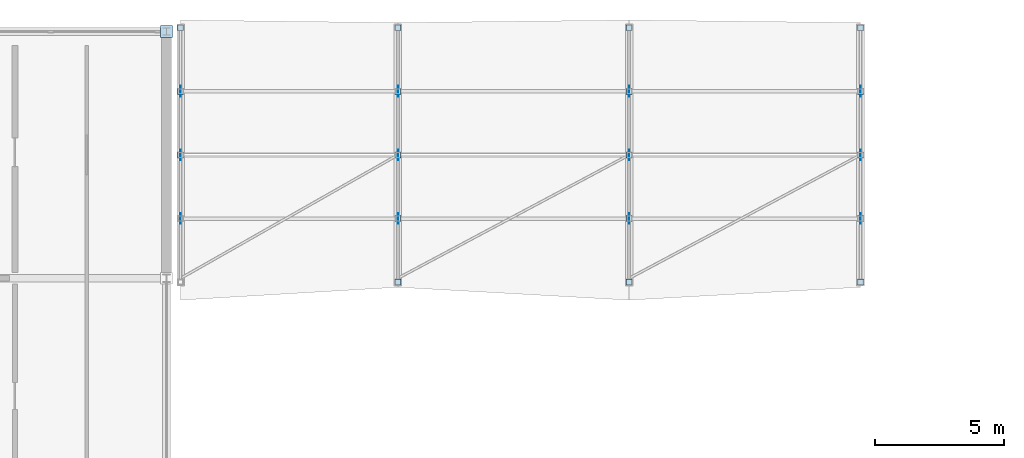
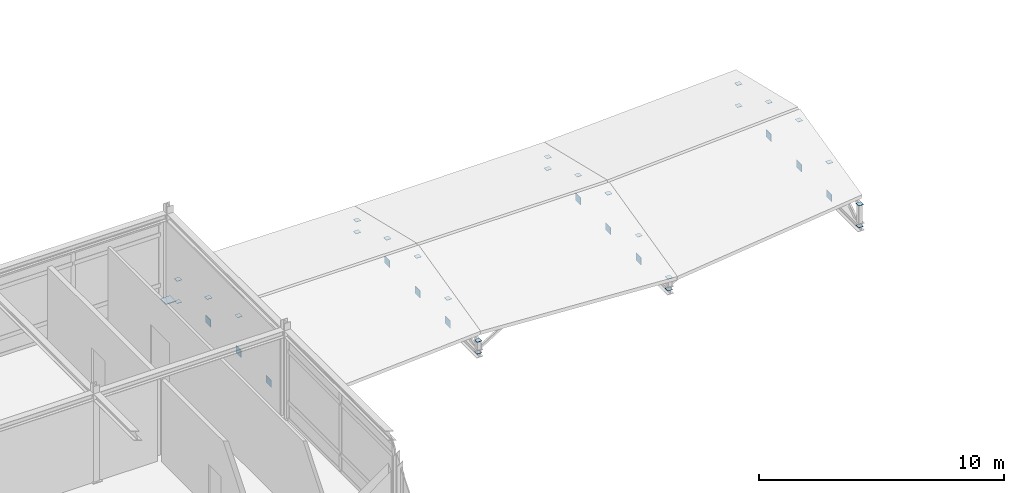
# One storey, part 65 of 90: 38 plates.
"""IFC4 building model written with IfcOpenShell, lengths in metres."""

import ifcopenshell
import ifcopenshell.guid

model = None  # the IFC model being written
_history = None  # IfcOwnerHistory: only IFC2X3 demands one
_inside = {}  # id of a spatial element -> (the spatial element, [elements in it])
_under = {}  # id of a project, library or spatial element -> (it, [spatial elements below it])
_declared = {}  # id of a project -> (the project, [libraries it declares])
_typed = {}  # id of a type object -> (the type object, [elements of that type])
_made_of = {}  # id of a material, layer set ... -> (it, [elements and type objects made of it])


def new_model(schema):
    """Start an empty IFC model of exactly this schema.

    Asked for "IFC4X3", IfcOpenShell would pick the latest addendum, in which some entities
    have other attributes; the version numbers below select the first issue.
    IFC2X3 requires an IfcOwnerHistory on every rooted entity: one is made here for all.
    """
    global model, _history
    if schema == "IFC4X3":
        model = ifcopenshell.file(schema_version=(4, 3, 0, 0))
    else:
        model = ifcopenshell.file(schema=schema)
    _inside.clear()
    _under.clear()
    _declared.clear()
    _typed.clear()
    _made_of.clear()
    _history = None
    if model.schema == "IFC2X3":
        org = make("IfcOrganization", Name="unknown")
        user = make(
            "IfcPersonAndOrganization",
            ThePerson=make("IfcPerson", FamilyName="unknown"),
            TheOrganization=org,
        )
        app = make(
            "IfcApplication",
            ApplicationDeveloper=org,
            Version="unknown",
            ApplicationFullName="unknown",
            ApplicationIdentifier="unknown",
        )
        _history = make(
            "IfcOwnerHistory",
            OwningUser=user,
            OwningApplication=app,
            ChangeAction="ADDED",
            CreationDate=0,
        )
    return model


def make(cls, **values):
    """One entity of the class cls with the attributes given. An attribute that is None is left unset."""
    return model.create_entity(
        cls, **{name: value for name, value in values.items() if value is not None}
    )


def rooted(cls, **values):
    """An entity with a GlobalId (a new one), such as an element, a storey or a relation."""
    return make(cls, GlobalId=ifcopenshell.guid.new(), OwnerHistory=_history, **values)


def si_unit(unit_type, name, prefix=None):
    """IfcSIUnit, for example si_unit("LENGTHUNIT", "METRE", prefix="MILLI")."""
    return make("IfcSIUnit", UnitType=unit_type, Prefix=prefix, Name=name)


def assignment(units):
    """IfcUnitAssignment: the units of a project."""
    return None if units is None else make("IfcUnitAssignment", Units=units)


def point(xyz):
    """IfcCartesianPoint."""
    return None if xyz is None else make("IfcCartesianPoint", Coordinates=xyz)


def direction(xyz):
    """IfcDirection."""
    return None if xyz is None else make("IfcDirection", DirectionRatios=xyz)


def frame(location, z_axis=None, x_axis=None):
    """IfcAxis2Placement3D, a coordinate frame: its origin and axes. An axis left out is left unset."""
    return make(
        "IfcAxis2Placement3D",
        Location=point(location),
        Axis=direction(z_axis),
        RefDirection=direction(x_axis),
    )


def frame_2d(location, x_axis=None):
    """IfcAxis2Placement2D, a coordinate frame in the plane: its origin and x axis."""
    return make(
        "IfcAxis2Placement2D", Location=point(location), RefDirection=direction(x_axis)
    )


def origin():
    """The frame at (0, 0, 0) with its axes left unset."""
    return frame((0.0, 0.0, 0.0))


def origin_2d():
    """The frame at (0, 0) in the plane with its x axis left unset."""
    return frame_2d((0.0, 0.0))


def place(relative_to, where):
    """IfcLocalPlacement: puts the frame where relative to a parent placement (None: the world)."""
    return make(
        "IfcLocalPlacement", PlacementRelTo=relative_to, RelativePlacement=where
    )


def context(
    kind, dimensions, precision=None, world=None, true_north=None, identifier=None
):
    """IfcGeometricRepresentationContext, for example the 3D "Model" context."""
    return make(
        "IfcGeometricRepresentationContext",
        ContextIdentifier=identifier,
        ContextType=kind,
        CoordinateSpaceDimension=dimensions,
        Precision=precision,
        WorldCoordinateSystem=world,
        TrueNorth=true_north,
    )


def subcontext(parent, identifier, kind, view, scale=None):
    """IfcGeometricRepresentationSubContext, for example "Body" below "Model"."""
    return make(
        "IfcGeometricRepresentationSubContext",
        ContextIdentifier=identifier,
        ContextType=kind,
        ParentContext=parent,
        TargetScale=scale,
        TargetView=view,
    )


def project(units=None, contexts=None):
    """IfcProject with its units and contexts."""
    return rooted(
        "IfcProject",
        Name="project",
        RepresentationContexts=contexts,
        UnitsInContext=assignment(units),
    )


def spatial(cls, under=None, at=None, **own):
    """A site, building, storey or space (cls), placed at a placement, below another one or the project."""
    s = rooted(cls, ObjectPlacement=at, **own)
    if under is not None:
        _under.setdefault(under.id(), (under, []))[1].append(s)
    return s


def profile(cls, at=None, kind="AREA", **sizes):
    """A parametric profile (cls). Its sizes go by their IFC names, for example OverallWidth=200.0."""
    return make(cls, ProfileType=kind, Position=at, **sizes)


def rectangle(**sizes):
    """IfcRectangleProfileDef."""
    return profile("IfcRectangleProfileDef", **sizes)


def extrude(swept, where, along, depth):
    """IfcExtrudedAreaSolid: the profile swept, set in the frame where, extruded along a direction by depth."""
    return make(
        "IfcExtrudedAreaSolid",
        SweptArea=swept,
        Position=where,
        ExtrudedDirection=direction(along),
        Depth=depth,
    )


def shape(context_of_items, identifier, shape_type, items):
    """IfcShapeRepresentation: the items that make up one representation, for example the "Body"."""
    return make(
        "IfcShapeRepresentation",
        ContextOfItems=context_of_items,
        RepresentationIdentifier=identifier,
        RepresentationType=shape_type,
        Items=items,
    )


def material(Name=None, Category=None):
    """IfcMaterial."""
    return make("IfcMaterial", Name=Name, Category=Category)


def layer(
    of_material, thickness, ventilated=None, Name=None, Category=None, Priority=None
):
    """IfcMaterialLayer: one layer of a wall or slab, of a material (None: an air gap)."""
    return make(
        "IfcMaterialLayer",
        Material=of_material,
        LayerThickness=thickness,
        IsVentilated=ventilated,
        Name=Name,
        Category=Category,
        Priority=Priority,
    )


def layer_set(layers, Name=None):
    """IfcMaterialLayerSet."""
    return make("IfcMaterialLayerSet", MaterialLayers=layers, LayerSetName=Name)


def made_of(thing, what):
    """Note that an element or type object is made of a material, layer set ...; save() writes the relation."""
    if what is not None:
        _made_of.setdefault(what.id(), (what, []))[1].append(thing)
    return thing


def type_object(cls, material=None, **own):
    """A type object (cls), such as IfcWallType, which elements share."""
    return made_of(rooted(cls, **own), material)


def element(
    cls,
    number,
    at=None,
    inside=None,
    cuts=None,
    type_object=None,
    material=None,
    context=None,
    identifier="Body",
    shape_type=None,
    held_by="IfcProductDefinitionShape",
    body=None,
    shapes=None,
    **own,
):
    """One element of the class cls, such as IfcWall. Its Tag is "e" and its number.

    at: its placement. inside: the storey or other place that contains it. cuts: it is an
    opening in that element (IfcRelVoidsElement). A single representation is given by context,
    identifier, shape_type and body (its items); several are given by shapes. held_by: the class
    of the entity that holds the representations. save() writes the other relations.
    """
    e = rooted(cls, Tag="e%d" % number, ObjectPlacement=at, **own)
    if body is not None:
        shapes = [shape(context, identifier, shape_type, body)]
    if shapes is not None:
        e.Representation = make(held_by, Representations=shapes)
    if inside is not None:
        _inside.setdefault(inside.id(), (inside, []))[1].append(e)
    if cuts is not None:
        rooted(
            "IfcRelVoidsElement", RelatingBuildingElement=cuts, RelatedOpeningElement=e
        )
    if type_object is not None:
        _typed.setdefault(type_object.id(), (type_object, []))[1].append(e)
    return made_of(e, material)


def aggregate(whole, parts):
    """IfcRelAggregates: a whole, such as a stair, and the parts it consists of."""
    return rooted("IfcRelAggregates", RelatingObject=whole, RelatedObjects=parts)


def save(model, path):
    """Write the relations noted so far, then the file.

    IfcRelAggregates (storeys below a building ...), IfcRelContainedInSpatialStructure (elements
    in a storey), IfcRelDefinesByType, IfcRelAssociatesMaterial and IfcRelDeclares: one each for
    every whole, place, type object, material and project.
    """
    for whole, parts in _under.values():
        aggregate(whole, parts)
    for where, things in _inside.values():
        rooted(
            "IfcRelContainedInSpatialStructure",
            RelatedElements=things,
            RelatingStructure=where,
        )
    for kind, things in _typed.values():
        rooted("IfcRelDefinesByType", RelatedObjects=things, RelatingType=kind)
    for what, things in _made_of.values():
        rooted("IfcRelAssociatesMaterial", RelatedObjects=things, RelatingMaterial=what)
    for by, libraries in _declared.values():
        rooted("IfcRelDeclares", RelatingContext=by, RelatedDefinitions=libraries)
    model.write(path)


model = new_model("IFC4")

# Units and contexts
model_context = context("Model", 3, precision=1e-05, world=origin(), true_north=direction((0.0, 1.0)))
body_context = subcontext(model_context, "Body", "Model", "MODEL_VIEW")
ifc_project = project(units=[si_unit("LENGTHUNIT", "METRE"), si_unit("AREAUNIT", "SQUARE_METRE"), si_unit("VOLUMEUNIT", "CUBIC_METRE"), si_unit("PLANEANGLEUNIT", "RADIAN"), si_unit("MASSUNIT", "GRAM", prefix="KILO")], contexts=[model_context])

# Site, building, storey
site_placement = place(None, origin())
site = spatial("IfcSite", under=ifc_project, at=site_placement, CompositionType="ELEMENT")
building_placement = place(site_placement, origin())
building = spatial("IfcBuilding", under=site, at=building_placement, Name="Bozkorgan Art Gallery", CompositionType="ELEMENT")
storey_placement = place(building_placement, frame((0.0, 0.0, 5.39990234375)))
storey = spatial("IfcBuildingStorey", under=building, at=storey_placement, Name="L01", CompositionType="ELEMENT", Elevation=5.39990234375)

# Plates
ifc_material = material(Name="Steel S355J2", Category="steel")
ifc_layer_1 = layer(ifc_material, 0.031982421875, Name="Steel S355J2")
ifc_layer_set_1 = layer_set([ifc_layer_1], Name="Steel S355J2")
plate_type_1 = type_object("IfcPlateType", Name="PLATE-BP-37", PredefinedType="USERDEFINED", material=ifc_layer_set_1)
plate_placement = place(storey_placement, frame((20.0, 112.39990234375, 0.0), z_axis=(0.0, 0.0, 1.0), x_axis=(1.0, 0.0, 0.0)))
element("IfcPlate", 1, at=plate_placement, inside=storey, type_object=plate_type_1, Name="COL-V2-L01-20-112 base plate", ObjectType="END CAP PLATE", PredefinedType="USERDEFINED", context=body_context, shape_type="SweptSolid", body=[
    extrude(rectangle(XDim=0.4599609375, YDim=0.4599609375, at=origin_2d()), origin(), (0.0, 0.0, 1.0), 0.031982421875),
])
ifc_layer_2 = layer(ifc_material, 0.01611328125, Name="Steel S355J2")
ifc_layer_set_2 = layer_set([ifc_layer_2], Name="Steel S355J2")
plate_type_2 = type_object("IfcPlateType", Name="PLATE-EC-05", PredefinedType="USERDEFINED", material=ifc_layer_set_2)
for number, where, z_axis, x_axis, name in (
    (2, (20.550048828125, 107.60009765625, 1.9501953125), (0.0, 0.0, 1.0), (1.0, 0.0, 0.0), "Truss V2 post cap 1.2"),
    (3, (20.550048828125, 110.074951171875, 1.35595703125), (0.0, 0.0, 1.0), (1.0, 0.0, 0.0), "Truss V2 post cap 1.3"),
    (4, (20.550048828125, 112.550048828125, 0.76171875), (0.0, 0.0, 1.0), (1.0, 0.0, 0.0), "Truss V2 post cap 1.4"),
    (5, (20.550048828125, 112.550048828125, -0.347900390625), (0.0, 0.0, 1.0), (1.0, 0.0, 0.0), "Truss V2 post base cap 1.4"),
    (6, (29.0, 102.64990234375, 0.76171875), (0.0, 0.0, 1.0), (1.0, 0.0, 0.0), "Truss V2 post cap 2.0"),
    (7, (29.0, 102.64990234375, 0.172119140625), (0.0, 0.0, 1.0), (1.0, 0.0, 0.0), "Truss V2 post base cap 2.0"),
    (8, (29.0, 105.125, 1.35595703125), (0.0, 0.0, 1.0), (1.0, 0.0, 0.0), "Truss V2 post cap 2.1"),
    (9, (29.0, 107.60009765625, 1.9501953125), (0.0, 0.0, 1.0), (1.0, 0.0, 0.0), "Truss V2 post cap 2.2"),
    (10, (29.0, 110.074951171875, 1.35595703125), (0.0, 0.0, 1.0), (1.0, 0.0, 0.0), "Truss V2 post cap 2.3"),
    (11, (29.0, 112.550048828125, 0.76171875), (0.0, 0.0, 1.0), (1.0, 0.0, 0.0), "Truss V2 post cap 2.4"),
    (12, (29.0, 112.550048828125, 0.172119140625), (0.0, 0.0, 1.0), (1.0, 0.0, 0.0), "Truss V2 post base cap 2.4"),
    (13, (38.0, 102.64990234375, 0.76171875), (0.0, 0.0, 1.0), (1.0, 0.0, 0.0), "Truss V2 post cap 3.0"),
    (14, (38.0, 102.64990234375, 0.172119140625), (0.0, 0.0, 1.0), (1.0, 0.0, 0.0), "Truss V2 post base cap 3.0"),
    (15, (38.0, 105.125, 1.35595703125), (0.0, 0.0, 1.0), (1.0, 0.0, 0.0), "Truss V2 post cap 3.1"),
    (16, (38.0, 107.60009765625, 1.9501953125), (0.0, 0.0, 1.0), (1.0, 0.0, 0.0), "Truss V2 post cap 3.2"),
    (17, (38.0, 110.074951171875, 1.35595703125), (0.0, 0.0, 1.0), (1.0, 0.0, 0.0), "Truss V2 post cap 3.3"),
    (18, (38.0, 112.550048828125, 0.76171875), (0.0, 0.0, 1.0), (1.0, 0.0, 0.0), "Truss V2 post cap 3.4"),
    (19, (38.0, 112.550048828125, 0.172119140625), (0.0, 0.0, 1.0), (1.0, 0.0, 0.0), "Truss V2 post base cap 3.4"),
    (20, (47.0, 102.64990234375, 1.265380859375), (0.0, 0.0, 1.0), (1.0, 0.0, 0.0), "Truss V2 post cap 4.0"),
    (21, (47.0, 102.64990234375, 0.172119140625), (0.0, 0.0, 1.0), (1.0, 0.0, 0.0), "Truss V2 post base cap 4.0"),
    (22, (47.0, 105.125, 1.859619140625), (0.0, 0.0, 1.0), (1.0, 0.0, 0.0), "Truss V2 post cap 4.1"),
    (23, (47.0, 107.60009765625, 2.453857421875), (0.0, 0.0, 1.0), (1.0, 0.0, 0.0), "Truss V2 post cap 4.2"),
    (24, (47.0, 110.074951171875, 1.859619140625), (0.0, 0.0, 1.0), (1.0, 0.0, 0.0), "Truss V2 post cap 4.3"),
    (25, (47.0, 112.550048828125, 1.265380859375), (0.0, 0.0, 1.0), (1.0, 0.0, 0.0), "Truss V2 post cap 4.4"),
    (26, (47.0, 112.550048828125, 0.172119140625), (0.0, 0.0, 1.0), (1.0, 0.0, 0.0), "Truss V2 post base cap 4.4"),
):
    element("IfcPlate", number, at=place(storey_placement, frame(where, z_axis=z_axis, x_axis=x_axis)), inside=storey, type_object=plate_type_2, Name=name, ObjectType="END CAP PLATE", PredefinedType="USERDEFINED", context=body_context, shape_type="SweptSolid", body=[
        extrude(rectangle(XDim=0.22998046875, YDim=0.22998046875, at=origin_2d()), origin(), (0.0, 0.0, 1.0), 0.01611328125),
    ])
ifc_layer_3 = layer(ifc_material, 0.02392578125, Name="Steel S355J2")
ifc_layer_set_3 = layer_set([ifc_layer_3], Name="Steel S355J2")
plate_type_3 = type_object("IfcPlateType", Name="PLATE-GP-38", PredefinedType="USERDEFINED", material=ifc_layer_set_3)
for number, where, z_axis, x_axis, name in (
    (27, (20.550048828125, 107.60009765625, 0.0), (0.0, 0.0, 1.0), (1.0, 0.0, 0.0), "Truss V2 span 1 node gusset TN-2"),
    (28, (29.0, 107.60009765625, 0.0), (0.0, 0.0, 1.0), (1.0, 0.0, 0.0), "Truss V2 span 2 node gusset TN-2"),
    (29, (38.0, 107.60009765625, 0.0), (0.0, 0.0, 1.0), (1.0, 0.0, 0.0), "Truss V2 span 3 node gusset TN-2"),
    (30, (47.0, 107.60009765625, 0.0), (0.0, 0.0, 1.0), (1.0, 0.0, 0.0), "Truss V2 span 4 node gusset TN-2"),
):
    element("IfcPlate", number, at=place(storey_placement, frame(where, z_axis=z_axis, x_axis=x_axis)), inside=storey, type_object=plate_type_3, Name=name, ObjectType="GUSSET PLATE", PredefinedType="USERDEFINED", context=body_context, shape_type="SweptSolid", body=[
        extrude(rectangle(XDim=0.02001953125, YDim=0.419921875, at=origin_2d()), origin(), (0.0, 0.0, 1.0), 0.360107421875),
    ])
ifc_layer_4 = layer(ifc_material, 0.02001953125, Name="Steel S355J2")
ifc_layer_set_4 = layer_set([ifc_layer_4], Name="Steel S355J2")
plate_type_4 = type_object("IfcPlateType", Name="PLATE-GP-55", PredefinedType="USERDEFINED", material=ifc_layer_set_4)
for number, where, z_axis, x_axis, name in (
    (31, (20.550048828125, 105.125, 0.0), (0.0, 0.0, 1.0), (1.0, 0.0, 0.0), "Truss V2 span 1 node gusset TN-1"),
    (32, (20.550048828125, 110.074951171875, 0.0), (0.0, 0.0, 1.0), (1.0, 0.0, 0.0), "Truss V2 span 1 node gusset TN-3"),
    (33, (29.0, 105.125, 0.0), (0.0, 0.0, 1.0), (1.0, 0.0, 0.0), "Truss V2 span 2 node gusset TN-1"),
    (34, (29.0, 110.074951171875, 0.0), (0.0, 0.0, 1.0), (1.0, 0.0, 0.0), "Truss V2 span 2 node gusset TN-3"),
    (35, (38.0, 105.125, 0.0), (0.0, 0.0, 1.0), (1.0, 0.0, 0.0), "Truss V2 span 3 node gusset TN-1"),
    (36, (38.0, 110.074951171875, 0.0), (0.0, 0.0, 1.0), (1.0, 0.0, 0.0), "Truss V2 span 3 node gusset TN-3"),
    (37, (47.0, 105.125, 0.0), (0.0, 0.0, 1.0), (1.0, 0.0, 0.0), "Truss V2 span 4 node gusset TN-1"),
    (38, (47.0, 110.074951171875, 0.0), (0.0, 0.0, 1.0), (1.0, 0.0, 0.0), "Truss V2 span 4 node gusset TN-3"),
):
    element("IfcPlate", number, at=place(storey_placement, frame(where, z_axis=z_axis, x_axis=x_axis)), inside=storey, type_object=plate_type_4, Name=name, ObjectType="GUSSET PLATE", PredefinedType="USERDEFINED", context=body_context, shape_type="SweptSolid", body=[
        extrude(rectangle(XDim=0.02001953125, YDim=0.419921875, at=origin_2d()), origin(), (0.0, 0.0, 1.0), 0.360107421875),
    ])

save(model, "model.ifc")
